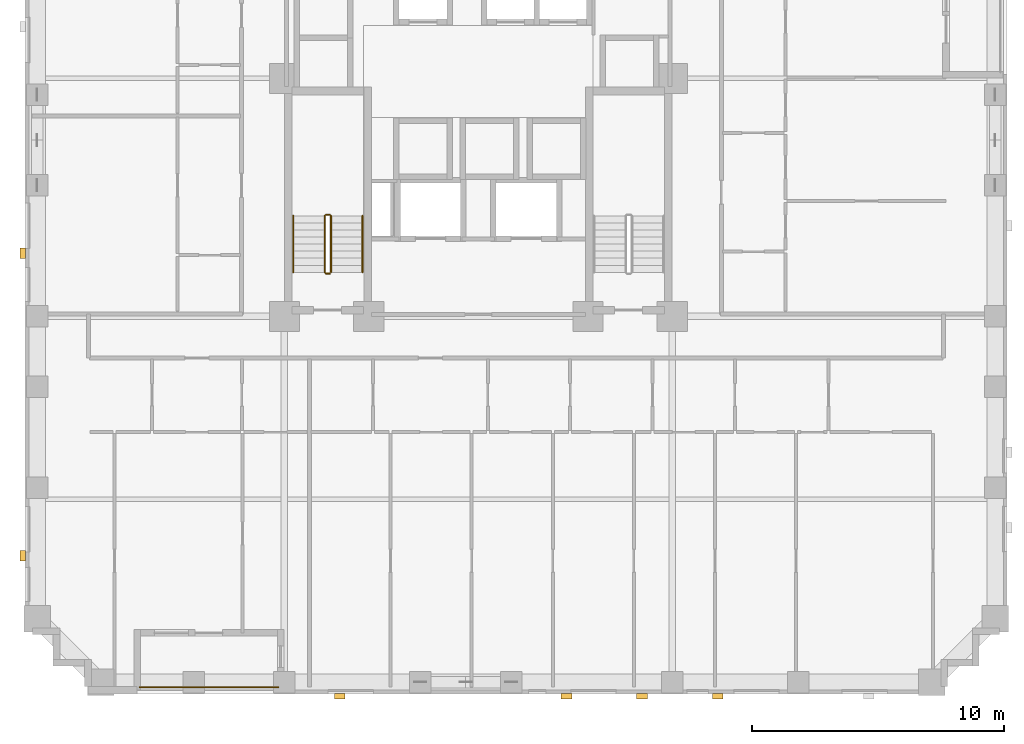
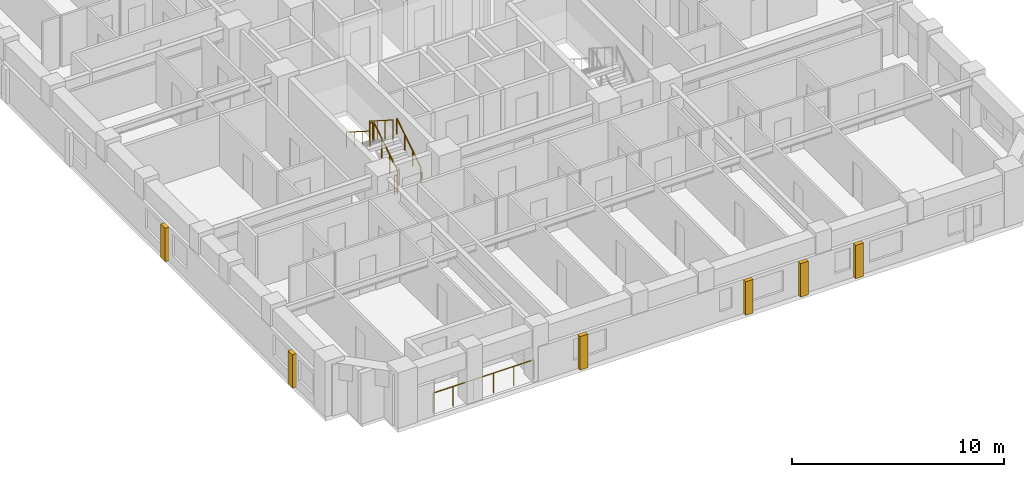
# One storey, part 12 of 14: 7 railings, 6 coverings.
"""IFC4 building model written with IfcOpenShell, lengths in metres."""

from ifc_helpers import new_model, si_unit, derived_unit, direction, frame, origin, origin_2d, place, context, subcontext, project, spatial, rectangle, circle, extrude, material, layer, layer_set, type_object, element, save


model = new_model("IFC4")

# Units and contexts
model_context = context("Model", 3, precision=1e-05, world=origin(), true_north=direction((0.0, 1.0)))
body_context = subcontext(model_context, "Body", "Model", "MODEL_VIEW")
ifc_project = project(units=[si_unit("LENGTHUNIT", "METRE"), si_unit("AREAUNIT", "SQUARE_METRE"), si_unit("VOLUMEUNIT", "CUBIC_METRE"), si_unit("PLANEANGLEUNIT", "RADIAN"), si_unit("MASSUNIT", "GRAM", prefix="KILO"), derived_unit("THERMALTRANSMITTANCEUNIT", [(si_unit("MASSUNIT", "GRAM", prefix="KILO"), 1), (si_unit("TIMEUNIT", "SECOND"), -3), (si_unit("THERMODYNAMICTEMPERATUREUNIT", "KELVIN"), -1)])], contexts=[model_context])

# Site, building, storey
site_placement = place(None, origin())
site = spatial("IfcSite", under=ifc_project, at=site_placement, CompositionType="ELEMENT")
building_placement = place(site_placement, origin())
building = spatial("IfcBuilding", under=site, at=building_placement, Name="Korrvale Station Residences", CompositionType="ELEMENT")
storey_placement = place(building_placement, frame((0.0, 0.0, 64.199951171875)))
storey = spatial("IfcBuildingStorey", under=building, at=storey_placement, Name="L17", CompositionType="ELEMENT", Elevation=64.199951171875)

# Coverings
ifc_material_1 = material(Name="Architectural precast concrete C45/55", Category="concrete")
ifc_layer = layer(ifc_material_1, 0.219970703125, Name="Architectural precast concrete C45/55")
ifc_layer_set = layer_set([ifc_layer], Name="Architectural precast concrete C45/55")
covering_type = type_object("IfcCoveringType", Name="COV-PIER-400", PredefinedType="CLADDING", material=ifc_layer_set)
for number, where, z_axis, x_axis, name in (
    (1, (35.0, -0.090087890625, 0.02490234375), (0.0, 0.0, 1.0), (1.0, 0.0, 0.0), "L17 Architectural Precast Facade Pier 02"),
    (2, (32.0, -0.090087890625, 0.02490234375), (0.0, 0.0, 1.0), (1.0, 0.0, 0.0), "L17 Architectural Precast Facade Pier 03"),
    (3, (29.0, -0.090087890625, 0.02490234375), (0.0, 0.0, 1.0), (1.0, 0.0, 0.0), "L17 Architectural Precast Facade Pier 04"),
    (4, (20.0, -0.090087890625, 0.02490234375), (0.0, 0.0, 1.0), (1.0, 0.0, 0.0), "L17 Architectural Precast Facade Pier 05"),
    (5, (7.409912109375, 5.5, 0.02490234375), (0.0, 0.0, 1.0), (0.0, 1.0, 0.0), "L17 Architectural Precast Facade Pier 12"),
    (6, (7.409912109375, 17.5, 0.02490234375), (0.0, 0.0, 1.0), (0.0, 1.0, 0.0), "L17 Architectural Precast Facade Pier 13"),
):
    element("IfcCovering", number, at=place(storey_placement, frame(where, z_axis=z_axis, x_axis=x_axis)), inside=storey, type_object=covering_type, Name=name, PredefinedType="CLADDING", context=body_context, shape_type="SweptSolid", body=[
        extrude(rectangle(XDim=0.419921875, YDim=0.219970703125, at=origin_2d()), origin(), (0.0, 0.0, 1.0), 1.925048828125),
    ])

# Railings
ifc_material_2 = material(Name="Powder-coated aluminium picket loggia guard", Category="aluminium")
railing_type_1 = type_object("IfcRailingType", Name="RLG-BAL-1150", PredefinedType="GUARDRAIL", material=ifc_material_2)
railing_1_placement = place(storey_placement, frame((12.050048828125, 0.27001953125, 0.0)))
element("IfcRailing", 7, at=railing_1_placement, inside=storey, type_object=railing_type_1, Name="L17 Recessed Loggia Guardrail BAL-L17-S1", PredefinedType="GUARDRAIL", context=body_context, shape_type="SweptSolid", body=[
    extrude(circle(Radius=0.02392578125, at=origin_2d()), frame((0.0, 0.0, 1.1259765625), z_axis=(1.0, 0.0, 0.0), x_axis=(0.0, 1.0, 0.0)), (0.0, 0.0, 1.0), 5.5),
    extrude(circle(Radius=0.02099609375, at=origin_2d()), origin(), (0.0, 0.0, 1.0), 1.101806640625),
    extrude(circle(Radius=0.02099609375, at=origin_2d()), frame((1.10009765625, 0.0, 0.0)), (0.0, 0.0, 1.0), 1.101806640625),
    extrude(circle(Radius=0.02099609375, at=origin_2d()), frame((2.199951171875, 0.0, 0.0)), (0.0, 0.0, 1.0), 1.101806640625),
    extrude(circle(Radius=0.02099609375, at=origin_2d()), frame((3.300048828125, 0.0, 0.0)), (0.0, 0.0, 1.0), 1.101806640625),
    extrude(circle(Radius=0.02099609375, at=origin_2d()), frame((4.39990234375, 0.0, 0.0)), (0.0, 0.0, 1.0), 1.101806640625),
    extrude(circle(Radius=0.02099609375, at=origin_2d()), frame((5.5, 0.0, 0.0)), (0.0, 0.0, 1.0), 1.101806640625),
])
ifc_material_3 = material(Name="Brushed stainless-steel continuous stair handrail", Category="steel")
railing_type_2 = type_object("IfcRailingType", Name="RLG-SHND-900", PredefinedType="HANDRAIL", material=ifc_material_3)
railing_2_placement = place(storey_placement, frame((20.89990234375, 16.75, 0.177734375)))
element("IfcRailing", 8, at=railing_2_placement, inside=storey, type_object=railing_type_2, Name="L17 ST-1 stair handrail 1", PredefinedType="HANDRAIL", context=body_context, shape_type="SweptSolid", body=[
    extrude(circle(Radius=0.02392578125, at=origin_2d()), frame((0.0, 0.0, 0.8759765625), z_axis=(0.0, 0.84418770128, 0.536047689118), x_axis=(-1.0, 0.0, 0.0)), (0.0, 0.0, 1.0), 2.6533203125),
    extrude(circle(Radius=0.02099609375, at=origin_2d()), origin(), (0.0, 0.0, 1.0), 0.851806640625),
    extrude(circle(Radius=0.02099609375, at=origin_2d()), frame((0.0, 0.74658203125, 0.47412109375)), (0.0, 0.0, 1.0), 0.851806640625),
    extrude(circle(Radius=0.02099609375, at=origin_2d()), frame((0.0, 1.493408203125, 0.9482421875)), (0.0, 0.0, 1.0), 0.851806640625),
    extrude(circle(Radius=0.02099609375, at=origin_2d()), frame((0.0, 2.239990234375, 1.42236328125)), (0.0, 0.0, 1.0), 0.851806640625),
])
railing_3_placement = place(storey_placement, frame((18.14990234375, 18.989990234375, 1.77783203125)))
element("IfcRailing", 9, at=railing_3_placement, inside=storey, type_object=railing_type_2, Name="L17 ST-1 stair handrail 2", PredefinedType="HANDRAIL", context=body_context, shape_type="SweptSolid", body=[
    extrude(circle(Radius=0.02392578125, at=origin_2d()), frame((0.0, 0.0, 0.8759765625), z_axis=(0.0, -0.8442293374, 0.53598211339), x_axis=(1.0, 0.0, 0.0)), (0.0, 0.0, 1.0), 2.6533203125),
    extrude(circle(Radius=0.02099609375, at=origin_2d()), origin(), (0.0, 0.0, 1.0), 0.851806640625),
    extrude(circle(Radius=0.02099609375, at=origin_2d()), frame((0.0, -0.74658203125, 0.47412109375)), (0.0, 0.0, 1.0), 0.851806640625),
    extrude(circle(Radius=0.02099609375, at=origin_2d()), frame((0.0, -1.493408203125, 0.947998046875)), (0.0, 0.0, 1.0), 0.851806640625),
    extrude(circle(Radius=0.02099609375, at=origin_2d()), frame((0.0, -2.239990234375, 1.422119140625)), (0.0, 0.0, 1.0), 0.851806640625),
])
ifc_material_4 = material(Name="Galvanised painted tubular steel stair guard", Category="steel")
railing_type_3 = type_object("IfcRailingType", Name="RLG-STR-1100", PredefinedType="GUARDRAIL", material=ifc_material_4)
railing_4_placement = place(storey_placement, frame((19.64990234375, 16.75, 0.177734375)))
element("IfcRailing", 10, at=railing_4_placement, inside=storey, type_object=railing_type_3, Name="L17 ST-1 stair guard 1", PredefinedType="GUARDRAIL", context=body_context, shape_type="SweptSolid", body=[
    extrude(circle(Radius=0.02392578125, at=origin_2d()), frame((0.0, 0.0, 1.076171875), z_axis=(0.0, 0.84418770128, 0.536047689118), x_axis=(-1.0, 0.0, 0.0)), (0.0, 0.0, 1.0), 2.6533203125),
    extrude(circle(Radius=0.02099609375, at=origin_2d()), origin(), (0.0, 0.0, 1.0), 1.052001953125),
    extrude(circle(Radius=0.02099609375, at=origin_2d()), frame((0.0, 0.74658203125, 0.47412109375)), (0.0, 0.0, 1.0), 1.052001953125),
    extrude(circle(Radius=0.02099609375, at=origin_2d()), frame((0.0, 1.493408203125, 0.9482421875)), (0.0, 0.0, 1.0), 1.052001953125),
    extrude(circle(Radius=0.02099609375, at=origin_2d()), frame((0.0, 2.239990234375, 1.42236328125)), (0.0, 0.0, 1.0), 1.052001953125),
])
railing_5_placement = place(storey_placement, frame((19.60009765625, 19.0400390625, 1.60009765625)))
element("IfcRailing", 11, at=railing_5_placement, inside=storey, type_object=railing_type_3, Name="L17 ST-1 stair guard 2", PredefinedType="GUARDRAIL", context=body_context, shape_type="SweptSolid", body=[
    extrude(circle(Radius=0.02392578125, at=origin_2d()), frame((0.0, 0.0, 1.076171875), z_axis=(-1.0, 0.0, 0.0), x_axis=(0.0, -1.0, 0.0)), (0.0, 0.0, 1.0), 0.150146484375),
    extrude(circle(Radius=0.02099609375, at=origin_2d()), origin(), (0.0, 0.0, 1.0), 1.052001953125),
    extrude(circle(Radius=0.02099609375, at=origin_2d()), frame((-0.150146484375, 0.0, 0.0)), (0.0, 0.0, 1.0), 1.052001953125),
])
railing_6_placement = place(storey_placement, frame((19.39990234375, 18.989990234375, 1.77783203125)))
element("IfcRailing", 12, at=railing_6_placement, inside=storey, type_object=railing_type_3, Name="L17 ST-1 stair guard 3", PredefinedType="GUARDRAIL", context=body_context, shape_type="SweptSolid", body=[
    extrude(circle(Radius=0.02392578125, at=origin_2d()), frame((0.0, 0.0, 1.076171875), z_axis=(0.0, -0.8442293374, 0.53598211339), x_axis=(1.0, 0.0, 0.0)), (0.0, 0.0, 1.0), 2.6533203125),
    extrude(circle(Radius=0.02099609375, at=origin_2d()), origin(), (0.0, 0.0, 1.0), 1.052001953125),
    extrude(circle(Radius=0.02099609375, at=origin_2d()), frame((0.0, -0.74658203125, 0.47412109375)), (0.0, 0.0, 1.0), 1.052001953125),
    extrude(circle(Radius=0.02099609375, at=origin_2d()), frame((0.0, -1.493408203125, 0.947998046875)), (0.0, 0.0, 1.0), 1.052001953125),
    extrude(circle(Radius=0.02099609375, at=origin_2d()), frame((0.0, -2.239990234375, 1.422119140625)), (0.0, 0.0, 1.0), 1.052001953125),
])
railing_7_placement = place(storey_placement, frame((19.60009765625, 16.699951171875, 0.0)))
element("IfcRailing", 13, at=railing_7_placement, inside=storey, type_object=railing_type_3, Name="L17 ST-1 stair guard 4", PredefinedType="GUARDRAIL", context=body_context, shape_type="SweptSolid", body=[
    extrude(circle(Radius=0.02392578125, at=origin_2d()), frame((0.0, 0.0, 1.076171875), z_axis=(-1.0, 0.0, 0.0), x_axis=(0.0, -1.0, 0.0)), (0.0, 0.0, 1.0), 0.150146484375),
    extrude(circle(Radius=0.02099609375, at=origin_2d()), origin(), (0.0, 0.0, 1.0), 1.052001953125),
    extrude(circle(Radius=0.02099609375, at=origin_2d()), frame((-0.150146484375, 0.0, 0.0)), (0.0, 0.0, 1.0), 1.052001953125),
])

save(model, "model.ifc")
